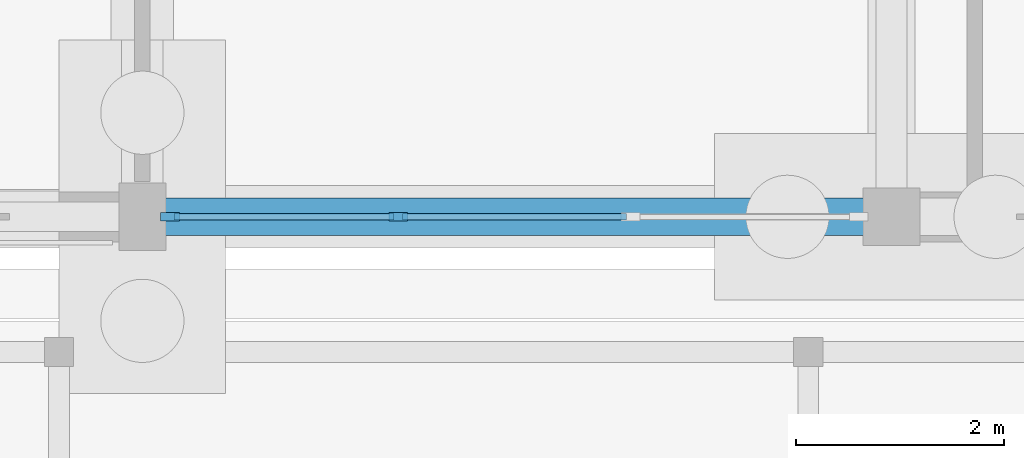
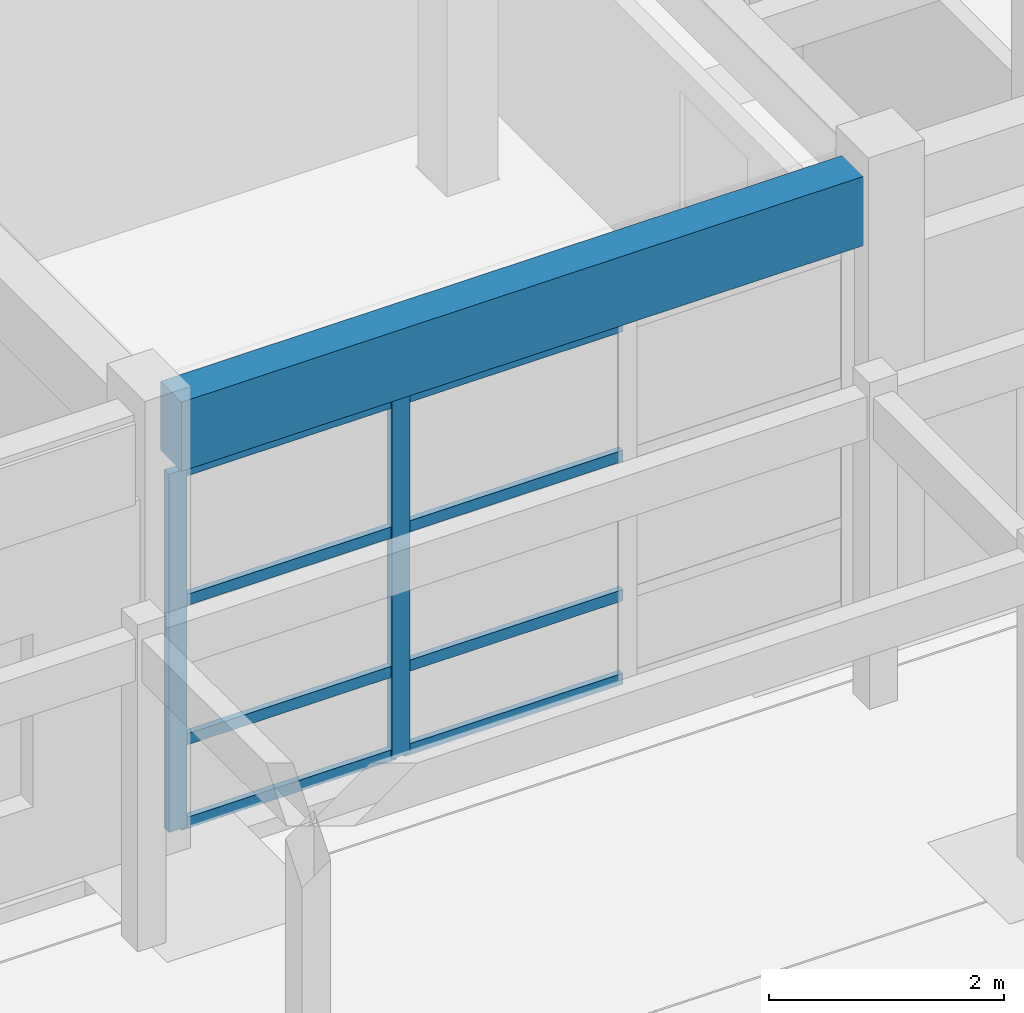
# One storey, part 49 of 143: 10 members, 1 beam, 1 element without a shape of its own.
"""IFC4 building model written with IfcOpenShell, lengths in metres."""

from ifc_helpers import new_model, si_unit, direction, frame, origin, origin_2d, place, context, subcontext, project, spatial, rectangle, extrude, material, material_profile, profile_set, type_object, element, aggregate, save


model = new_model("IFC4")

# Units and contexts
model_context = context("Model", 3, precision=1e-05, world=origin(), true_north=direction((0.0, 1.0)))
body_context = subcontext(model_context, "Body", "Model", "MODEL_VIEW")
ifc_project = project(units=[si_unit("LENGTHUNIT", "METRE"), si_unit("AREAUNIT", "SQUARE_METRE"), si_unit("VOLUMEUNIT", "CUBIC_METRE"), si_unit("PLANEANGLEUNIT", "RADIAN"), si_unit("MASSUNIT", "GRAM", prefix="KILO")], contexts=[model_context])

# Site, building, storey
site_placement = place(None, origin())
site = spatial("IfcSite", under=ifc_project, at=site_placement, CompositionType="ELEMENT")
building_placement = place(site_placement, origin())
building = spatial("IfcBuilding", under=site, at=building_placement, Name="Steenspoor Specialist Clinic", CompositionType="ELEMENT")
storey_placement = place(building_placement, origin())
storey = spatial("IfcBuildingStorey", under=building, at=storey_placement, Name="L00", CompositionType="ELEMENT", Elevation=0.0)

# Curtain wall, members
ifc_material_1 = material(Name="Thermally broken aluminium and low-emissivity glass", Category="aluminium")
curtain_wall_type = type_object("IfcCurtainWallType", Name="CW-SCR-360X320", PredefinedType="USERDEFINED", material=ifc_material_1)
curtain_wall_placement = place(storey_placement, origin())
curtain_wall = element("IfcCurtainWall", 1, at=curtain_wall_placement, inside=storey, type_object=curtain_wall_type, Name="Unitised Curtain Wall CW-V4-L00-043", ObjectType="UNITISED GLAZING", PredefinedType="USERDEFINED")
ifc_material_2 = material(Name="Thermally broken aluminium 6063-T6", Category="aluminium")
ifc_material_profile_1 = material_profile(ifc_material_2, rectangle(XDim=0.080078125, YDim=0.179931640625, at=origin_2d()), Name="CWM-80X180")
ifc_profile_set_1 = profile_set([ifc_material_profile_1], Name="Thermally broken aluminium 6063-T6")
member_type_1 = type_object("IfcMemberType", Name="CW-MULL-80X180", PredefinedType="MULLION", material=ifc_profile_set_1)
member_1_placement = place(storey_placement, frame((83.658447265625, 65.14990234375, 0.0), z_axis=(0.0, 0.0, 1.0), x_axis=(0.0, -1.0, 0.0)))
member_1 = element("IfcMember", 2, at=member_1_placement, type_object=member_type_1, Name="CW-19 mullion 3", PredefinedType="MULLION", context=body_context, shape_type="SweptSolid", body=[
    extrude(rectangle(XDim=0.080078125, YDim=0.179931640625, at=origin_2d()), origin(), (0.0, 0.0, 1.0), 3.72998046875),
])
member_2_placement = place(storey_placement, frame((81.465087890625, 65.14990234375, 0.0), z_axis=(0.0, 0.0, 1.0), x_axis=(0.0, -1.0, 0.0)))
member_2 = element("IfcMember", 3, at=member_2_placement, type_object=member_type_1, Name="CW-19 mullion 4", PredefinedType="MULLION", context=body_context, shape_type="SweptSolid", body=[
    extrude(rectangle(XDim=0.080078125, YDim=0.179931640625, at=origin_2d()), origin(), (0.0, 0.0, 1.0), 3.72998046875),
])
ifc_material_profile_2 = material_profile(ifc_material_2, rectangle(XDim=0.06005859375, YDim=0.114990234375, at=origin_2d()), Name="CWT-60X115")
ifc_profile_set_2 = profile_set([ifc_material_profile_2], Name="Thermally broken aluminium 6063-T6")
member_type_2 = type_object("IfcMemberType", Name="CW-TRAN-60X115", PredefinedType="USERDEFINED", material=ifc_profile_set_2)
member_3_placement = place(storey_placement, frame((85.8515625, 65.14990234375, 0.030029296875), z_axis=(-1.0, 0.0, 0.0), x_axis=(0.0, -1.0, 0.0)))
member_3 = element("IfcMember", 4, at=member_3_placement, type_object=member_type_2, Name="CW-19 transom 2.1", ObjectType="TRANSOM", PredefinedType="USERDEFINED", context=body_context, shape_type="SweptSolid", body=[
    extrude(rectangle(XDim=0.06005859375, YDim=0.114990234375, at=origin_2d()), origin(), (0.0, 0.0, 1.0), 2.1533203125),
])
member_4_placement = place(storey_placement, frame((85.8515625, 65.14990234375, 0.89990234375), z_axis=(-1.0, 0.0, 0.0), x_axis=(0.0, -1.0, 0.0)))
member_4 = element("IfcMember", 5, at=member_4_placement, type_object=member_type_2, Name="CW-19 transom 2.2", ObjectType="TRANSOM", PredefinedType="USERDEFINED", context=body_context, shape_type="SweptSolid", body=[
    extrude(rectangle(XDim=0.06005859375, YDim=0.114990234375, at=origin_2d()), origin(), (0.0, 0.0, 1.0), 2.1533203125),
])
member_5_placement = place(storey_placement, frame((85.8515625, 65.14990234375, 2.35009765625), z_axis=(-1.0, 0.0, 0.0), x_axis=(0.0, -1.0, 0.0)))
member_5 = element("IfcMember", 6, at=member_5_placement, type_object=member_type_2, Name="CW-19 transom 2.3", ObjectType="TRANSOM", PredefinedType="USERDEFINED", context=body_context, shape_type="SweptSolid", body=[
    extrude(rectangle(XDim=0.06005859375, YDim=0.114990234375, at=origin_2d()), origin(), (0.0, 0.0, 1.0), 2.1533203125),
])
member_6_placement = place(storey_placement, frame((85.8515625, 65.14990234375, 3.699951171875), z_axis=(-1.0, 0.0, 0.0), x_axis=(0.0, -1.0, 0.0)))
member_6 = element("IfcMember", 7, at=member_6_placement, type_object=member_type_2, Name="CW-19 transom 2.4", ObjectType="TRANSOM", PredefinedType="USERDEFINED", context=body_context, shape_type="SweptSolid", body=[
    extrude(rectangle(XDim=0.06005859375, YDim=0.114990234375, at=origin_2d()), origin(), (0.0, 0.0, 1.0), 2.1533203125),
])
member_7_placement = place(storey_placement, frame((83.618408203125, 65.14990234375, 0.030029296875), z_axis=(-1.0, 0.0, 0.0), x_axis=(0.0, -1.0, 0.0)))
member_7 = element("IfcMember", 8, at=member_7_placement, type_object=member_type_2, Name="CW-19 transom 3.1", ObjectType="TRANSOM", PredefinedType="USERDEFINED", context=body_context, shape_type="SweptSolid", body=[
    extrude(rectangle(XDim=0.06005859375, YDim=0.114990234375, at=origin_2d()), origin(), (0.0, 0.0, 1.0), 2.113525390625),
])
member_8_placement = place(storey_placement, frame((83.618408203125, 65.14990234375, 0.89990234375), z_axis=(-1.0, 0.0, 0.0), x_axis=(0.0, -1.0, 0.0)))
member_8 = element("IfcMember", 9, at=member_8_placement, type_object=member_type_2, Name="CW-19 transom 3.2", ObjectType="TRANSOM", PredefinedType="USERDEFINED", context=body_context, shape_type="SweptSolid", body=[
    extrude(rectangle(XDim=0.06005859375, YDim=0.114990234375, at=origin_2d()), origin(), (0.0, 0.0, 1.0), 2.113525390625),
])
member_9_placement = place(storey_placement, frame((83.618408203125, 65.14990234375, 2.35009765625), z_axis=(-1.0, 0.0, 0.0), x_axis=(0.0, -1.0, 0.0)))
member_9 = element("IfcMember", 10, at=member_9_placement, type_object=member_type_2, Name="CW-19 transom 3.3", ObjectType="TRANSOM", PredefinedType="USERDEFINED", context=body_context, shape_type="SweptSolid", body=[
    extrude(rectangle(XDim=0.06005859375, YDim=0.114990234375, at=origin_2d()), origin(), (0.0, 0.0, 1.0), 2.113525390625),
])
member_10_placement = place(storey_placement, frame((83.618408203125, 65.14990234375, 3.699951171875), z_axis=(-1.0, 0.0, 0.0), x_axis=(0.0, -1.0, 0.0)))
member_10 = element("IfcMember", 11, at=member_10_placement, type_object=member_type_2, Name="CW-19 transom 3.4", ObjectType="TRANSOM", PredefinedType="USERDEFINED", context=body_context, shape_type="SweptSolid", body=[
    extrude(rectangle(XDim=0.06005859375, YDim=0.114990234375, at=origin_2d()), origin(), (0.0, 0.0, 1.0), 2.113525390625),
])
aggregate(curtain_wall, [member_1, member_2, member_3, member_4, member_5, member_6, member_7, member_8, member_9, member_10])

# Beam
ifc_material_3 = material(Name="Concrete C35/45", Category="concrete")
ifc_material_profile_3 = material_profile(ifc_material_3, rectangle(XDim=0.360107421875, YDim=0.719970703125, at=origin_2d()), Name="RC-SP-360X720")
ifc_profile_set_3 = profile_set([ifc_material_profile_3], Name="Concrete C35/45")
beam_type = type_object("IfcBeamType", Name="SP-RC-360X720", PredefinedType="SPANDREL", material=ifc_profile_set_3)
beam_placement = place(storey_placement, frame((81.419921875, 65.14990234375, 4.18994140625), z_axis=(1.0, 0.0, 0.0), x_axis=(0.0, 1.0, 0.0)))
element("IfcBeam", 12, at=beam_placement, inside=storey, type_object=beam_type, Name="BM-V4-L00-X0290", PredefinedType="SPANDREL", context=body_context, shape_type="SweptSolid", body=[
    extrude(rectangle(XDim=0.360107421875, YDim=0.719970703125, at=origin_2d()), origin(), (0.0, 0.0, 1.0), 6.7099609375),
])

save(model, "model.ifc")
